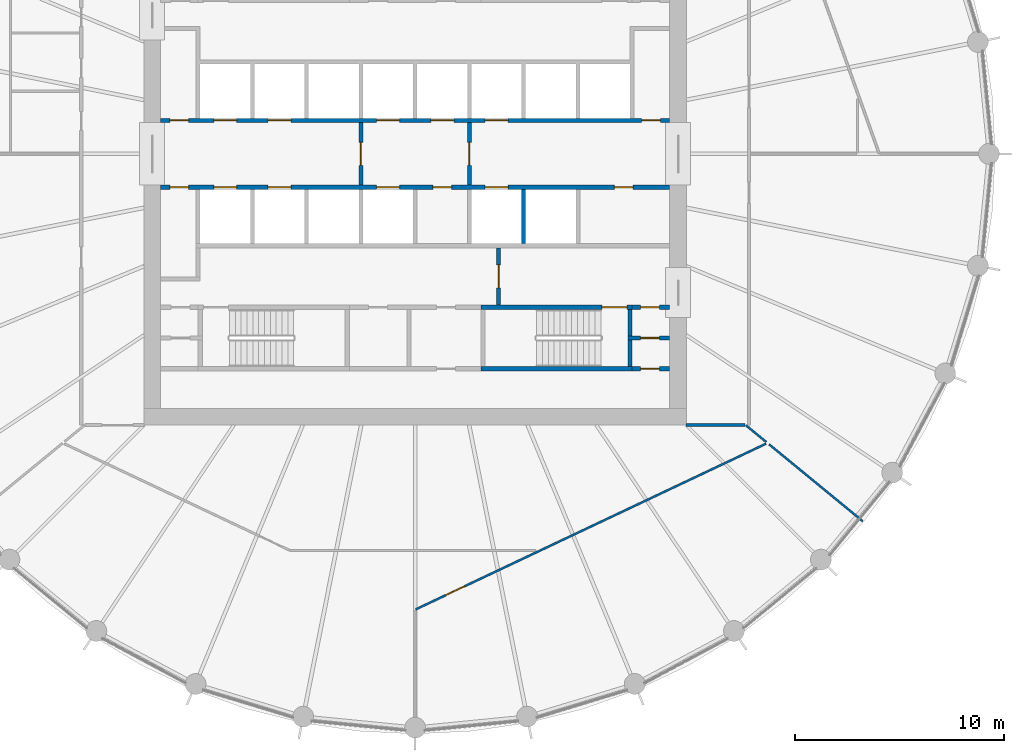
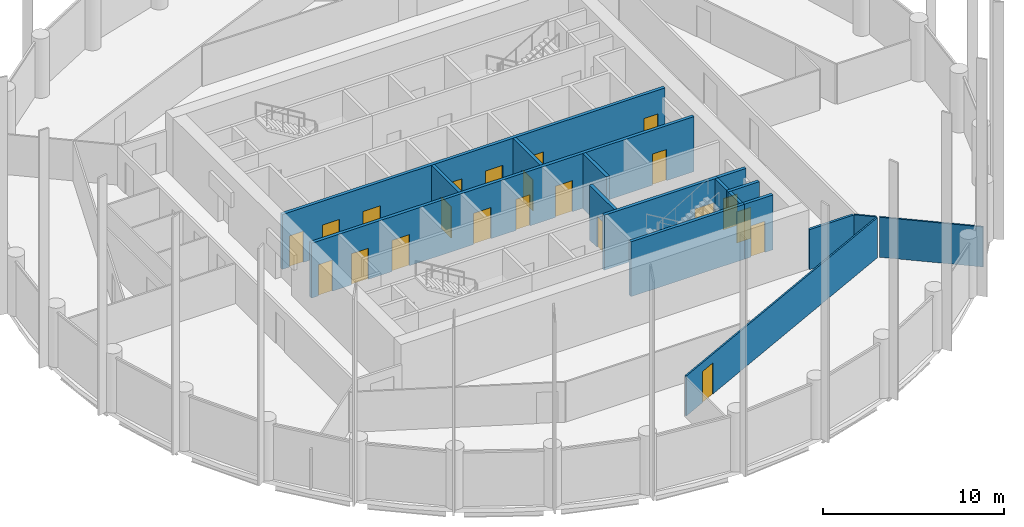
# One storey, part 5 of 8: 22 doors, 17 walls, 22 openings.
"""IFC4 building model written with IfcOpenShell, lengths in metres."""

from ifc_helpers import new_model, si_unit, direction, frame, frame_2d, origin, place, context, subcontext, project, spatial, polyline, rectangle, outline, extrude, material, layer, layer_set, type_object, element, fill, save


model = new_model("IFC4")

# Units and contexts
model_context = context("Model", 3, precision=1e-05, world=origin(), true_north=direction((0.0, 1.0)))
body_context = subcontext(model_context, "Body", "Model", "MODEL_VIEW")
ifc_project = project(units=[si_unit("LENGTHUNIT", "METRE"), si_unit("AREAUNIT", "SQUARE_METRE"), si_unit("VOLUMEUNIT", "CUBIC_METRE"), si_unit("PLANEANGLEUNIT", "RADIAN"), si_unit("MASSUNIT", "GRAM", prefix="KILO")], contexts=[model_context])

# Site, building, storey
site_placement = place(None, origin())
site = spatial("IfcSite", under=ifc_project, at=site_placement, CompositionType="ELEMENT")
building_placement = place(site_placement, origin())
building = spatial("IfcBuilding", under=site, at=building_placement, Name="Corvane Civic Tower", CompositionType="ELEMENT")
storey_placement = place(building_placement, frame((0.0, 0.0, 233.5)))
storey = spatial("IfcBuildingStorey", under=building, at=storey_placement, Name="L55", CompositionType="ELEMENT", Elevation=233.5)

# Wall, opening, door
ifc_material_1 = material(Name="Concrete C30/37", Category="concrete")
ifc_layer_1 = layer(ifc_material_1, 0.199951171875)
ifc_layer_set_1 = layer_set([ifc_layer_1], Name="Concrete C30/37")
wall_type_1 = type_object("IfcWallType", Name="CR-WALL-200", PredefinedType="PARTITIONING", material=ifc_layer_set_1)
wall_1_placement = place(storey_placement, frame((10.39990234375, -10.300048828125, 0.0), z_axis=(0.0, 0.0, 1.0), x_axis=(1.0, 0.0, 0.0)))
wall_1 = element("IfcWall", 1, at=wall_1_placement, inside=storey, type_object=wall_type_1, Name="L55 partition wall", PredefinedType="PARTITIONING", context=body_context, shape_type="SweptSolid", body=[
    extrude(rectangle(XDim=1.800048828125, YDim=0.199951171875, at=frame_2d((0.89990234375, 0.0))), origin(), (0.0, 0.0, 1.0), 3.699951171875),
])
opening_1_placement = place(wall_1_placement, frame((0.39990234375, 0.0, 0.0)))
opening_1 = element("IfcOpeningElement", 2, at=opening_1_placement, cuts=wall_1, Name="Opening L55.C21", PredefinedType="OPENING", context=body_context, shape_type="SweptSolid", body=[
    extrude(rectangle(XDim=0.89990234375, YDim=2.10009765625, at=frame_2d((0.449951171875, 1.050048828125))), frame((0.0, 0.10986328125, 0.0), z_axis=(0.0, -1.0, 0.0), x_axis=(1.0, 0.0, 0.0)), (0.0, 0.0, 1.0), 0.219970703125),
])
ifc_material_2 = material(Name="Steel fire door leaf", Category="steel")
door_type_1 = type_object("IfcDoorType", Name="CR-DOOR-900", OperationType="SINGLE_SWING_LEFT", PredefinedType="DOOR", material=ifc_material_2)
door_1_placement = place(opening_1_placement, origin())
door_1 = element("IfcDoor", 3, at=door_1_placement, inside=storey, type_object=door_type_1, Name="L55 door", OperationType="SINGLE_SWING_LEFT", OverallHeight=2.10009765625, OverallWidth=0.89990234375, PredefinedType="DOOR", context=body_context, shape_type="SweptSolid", body=[
    extrude(rectangle(XDim=0.89990234375, YDim=2.10009765625, at=frame_2d((0.449951171875, 1.050048828125))), frame((0.0, 0.02490234375, 0.0), z_axis=(0.0, -1.0, 0.0), x_axis=(1.0, 0.0, 0.0)), (0.0, 0.0, 1.0), 0.050048828125),
])
fill(opening_1, door_1)

wall_2_placement = place(storey_placement, frame((10.199951171875, -8.824951171875, 0.0), z_axis=(0.0, 0.0, 1.0), x_axis=(1.0, 0.0, 0.0)))
wall_2 = element("IfcWall", 4, at=wall_2_placement, inside=storey, type_object=wall_type_1, Name="L55 partition wall", PredefinedType="PARTITIONING", context=body_context, shape_type="SweptSolid", body=[
    extrude(rectangle(XDim=2.0, YDim=0.199951171875, at=frame_2d((1.0, 0.0))), origin(), (0.0, 0.0, 1.0), 3.699951171875),
])
opening_2_placement = place(wall_2_placement, frame((0.60009765625, 0.0, 0.0)))
opening_2 = element("IfcOpeningElement", 5, at=opening_2_placement, cuts=wall_2, Name="Opening L55.C20", PredefinedType="OPENING", context=body_context, shape_type="SweptSolid", body=[
    extrude(rectangle(XDim=0.89990234375, YDim=2.10009765625, at=frame_2d((0.449951171875, 1.050048828125))), frame((0.0, 0.10986328125, 0.0), z_axis=(0.0, -1.0, 0.0), x_axis=(1.0, 0.0, 0.0)), (0.0, 0.0, 1.0), 0.219970703125),
])
door_2_placement = place(opening_2_placement, origin())
door_2 = element("IfcDoor", 6, at=door_2_placement, inside=storey, type_object=door_type_1, Name="L55 door", OperationType="SINGLE_SWING_LEFT", OverallHeight=2.10009765625, OverallWidth=0.89990234375, PredefinedType="DOOR", context=body_context, shape_type="SweptSolid", body=[
    extrude(rectangle(XDim=0.89990234375, YDim=2.10009765625, at=frame_2d((0.449951171875, 1.050048828125))), frame((0.0, 0.02490234375, 0.0), z_axis=(0.0, -1.0, 0.0), x_axis=(1.0, 0.0, 0.0)), (0.0, 0.0, 1.0), 0.050048828125),
])
fill(opening_2, door_2)

wall_3_placement = place(storey_placement, frame((10.39990234375, -7.35009765625, 0.0), z_axis=(0.0, 0.0, 1.0), x_axis=(1.0, 0.0, 0.0)))
wall_3 = element("IfcWall", 7, at=wall_3_placement, inside=storey, type_object=wall_type_1, Name="L55 core partition wall", PredefinedType="PARTITIONING", context=body_context, shape_type="SweptSolid", body=[
    extrude(rectangle(XDim=1.800048828125, YDim=0.199951171875, at=frame_2d((0.89990234375, 0.0))), origin(), (0.0, 0.0, 1.0), 3.699951171875),
])
opening_3_placement = place(wall_3_placement, frame((0.39990234375, 0.0, 0.0)))
opening_3 = element("IfcOpeningElement", 8, at=opening_3_placement, cuts=wall_3, Name="Opening L55.C19", PredefinedType="OPENING", context=body_context, shape_type="SweptSolid", body=[
    extrude(rectangle(XDim=0.89990234375, YDim=2.10009765625, at=frame_2d((0.449951171875, 1.050048828125))), frame((0.0, 0.10986328125, 0.0), z_axis=(0.0, -1.0, 0.0), x_axis=(1.0, 0.0, 0.0)), (0.0, 0.0, 1.0), 0.219970703125),
])
door_3_placement = place(opening_3_placement, origin())
door_3 = element("IfcDoor", 9, at=door_3_placement, inside=storey, type_object=door_type_1, Name="L55 door", OperationType="SINGLE_SWING_LEFT", OverallHeight=2.10009765625, OverallWidth=0.89990234375, PredefinedType="DOOR", context=body_context, shape_type="SweptSolid", body=[
    extrude(rectangle(XDim=0.89990234375, YDim=2.10009765625, at=frame_2d((0.449951171875, 1.050048828125))), frame((0.0, 0.02490234375, 0.0), z_axis=(0.0, -1.0, 0.0), x_axis=(1.0, 0.0, 0.0)), (0.0, 0.0, 1.0), 0.050048828125),
])
fill(opening_3, door_3)

# Wall, openings, doors
wall_4_placement = place(storey_placement, frame((-12.199951171875, -1.60009765625, 0.0), z_axis=(0.0, 0.0, 1.0), x_axis=(1.0, 0.0, 0.0)))
wall_4 = element("IfcWall", 10, at=wall_4_placement, inside=storey, type_object=wall_type_1, Name="L55 lift shaft wall", PredefinedType="PARTITIONING", context=body_context, shape_type="SweptSolid", body=[
    extrude(rectangle(XDim=24.39990234375, YDim=0.199951171875, at=frame_2d((12.199951171875, 0.0))), origin(), (0.0, 0.0, 1.0), 3.699951171875),
])
opening_4_placement = place(wall_4_placement, frame((2.550048828125, 0.0, 0.0)))
opening_4 = element("IfcOpeningElement", 11, at=opening_4_placement, cuts=wall_4, Name="Opening LD", PredefinedType="OPENING", context=body_context, shape_type="SweptSolid", body=[
    extrude(rectangle(XDim=1.10009765625, YDim=2.10009765625, at=frame_2d((0.550048828125, 1.050048828125))), frame((0.0, 0.10986328125, 0.0), z_axis=(0.0, -1.0, 0.0), x_axis=(1.0, 0.0, 0.0)), (0.0, 0.0, 1.0), 0.219970703125),
])
opening_5_placement = place(wall_4_placement, frame((5.14990234375, 0.0, 0.0)))
opening_5 = element("IfcOpeningElement", 12, at=opening_5_placement, cuts=wall_4, Name="Opening LD", PredefinedType="OPENING", context=body_context, shape_type="SweptSolid", body=[
    extrude(rectangle(XDim=1.10009765625, YDim=2.10009765625, at=frame_2d((0.550048828125, 1.050048828125))), frame((0.0, 0.10986328125, 0.0), z_axis=(0.0, -1.0, 0.0), x_axis=(1.0, 0.0, 0.0)), (0.0, 0.0, 1.0), 0.219970703125),
])
opening_6_placement = place(wall_4_placement, frame((10.35009765625, 0.0, 0.0)))
opening_6 = element("IfcOpeningElement", 13, at=opening_6_placement, cuts=wall_4, Name="Opening LD", PredefinedType="OPENING", context=body_context, shape_type="SweptSolid", body=[
    extrude(rectangle(XDim=1.10009765625, YDim=2.10009765625, at=frame_2d((0.550048828125, 1.050048828125))), frame((0.0, 0.10986328125, 0.0), z_axis=(0.0, -1.0, 0.0), x_axis=(1.0, 0.0, 0.0)), (0.0, 0.0, 1.0), 0.219970703125),
])
opening_7_placement = place(wall_4_placement, frame((13.050048828125, 0.0, 0.0)))
opening_7 = element("IfcOpeningElement", 14, at=opening_7_placement, cuts=wall_4, Name="Opening L55.C03", PredefinedType="OPENING", context=body_context, shape_type="SweptSolid", body=[
    extrude(rectangle(XDim=0.89990234375, YDim=2.10009765625, at=frame_2d((0.449951171875, 1.050048828125))), frame((0.0, 0.10986328125, 0.0), z_axis=(0.0, -1.0, 0.0), x_axis=(1.0, 0.0, 0.0)), (0.0, 0.0, 1.0), 0.219970703125),
])
opening_8_placement = place(wall_4_placement, frame((15.550048828125, 0.0, 0.0)))
opening_8 = element("IfcOpeningElement", 15, at=opening_8_placement, cuts=wall_4, Name="Opening LD", PredefinedType="OPENING", context=body_context, shape_type="SweptSolid", body=[
    extrude(rectangle(XDim=1.10009765625, YDim=2.10009765625, at=frame_2d((0.550048828125, 1.050048828125))), frame((0.0, 0.10986328125, 0.0), z_axis=(0.0, -1.0, 0.0), x_axis=(1.0, 0.0, 0.0)), (0.0, 0.0, 1.0), 0.219970703125),
])
opening_9_placement = place(wall_4_placement, frame((0.449951171875, 0.0, 0.0)))
opening_9 = element("IfcOpeningElement", 16, at=opening_9_placement, cuts=wall_4, Name="Opening L55.C04", PredefinedType="OPENING", context=body_context, shape_type="SweptSolid", body=[
    extrude(rectangle(XDim=0.89990234375, YDim=2.10009765625, at=frame_2d((0.449951171875, 1.050048828125))), frame((0.0, 0.10986328125, 0.0), z_axis=(0.0, -1.0, 0.0), x_axis=(1.0, 0.0, 0.0)), (0.0, 0.0, 1.0), 0.219970703125),
])
opening_10_placement = place(wall_4_placement, frame((21.75, 0.0, 0.0)))
opening_10 = element("IfcOpeningElement", 17, at=opening_10_placement, cuts=wall_4, Name="Opening L55.C05", PredefinedType="OPENING", context=body_context, shape_type="SweptSolid", body=[
    extrude(rectangle(XDim=0.89990234375, YDim=2.10009765625, at=frame_2d((0.449951171875, 1.050048828125))), frame((0.0, 0.10986328125, 0.0), z_axis=(0.0, -1.0, 0.0), x_axis=(1.0, 0.0, 0.0)), (0.0, 0.0, 1.0), 0.219970703125),
])
door_4_placement = place(opening_7_placement, origin())
door_4 = element("IfcDoor", 18, at=door_4_placement, inside=storey, type_object=door_type_1, Name="L55 door", OperationType="SINGLE_SWING_LEFT", OverallHeight=2.10009765625, OverallWidth=0.89990234375, PredefinedType="DOOR", context=body_context, shape_type="SweptSolid", body=[
    extrude(rectangle(XDim=0.89990234375, YDim=2.10009765625, at=frame_2d((0.449951171875, 1.050048828125))), frame((0.0, 0.02490234375, 0.0), z_axis=(0.0, -1.0, 0.0), x_axis=(1.0, 0.0, 0.0)), (0.0, 0.0, 1.0), 0.050048828125),
])
fill(opening_7, door_4)
door_5_placement = place(opening_9_placement, origin())
door_5 = element("IfcDoor", 19, at=door_5_placement, inside=storey, type_object=door_type_1, Name="L55 door", OperationType="SINGLE_SWING_LEFT", OverallHeight=2.10009765625, OverallWidth=0.89990234375, PredefinedType="DOOR", context=body_context, shape_type="SweptSolid", body=[
    extrude(rectangle(XDim=0.89990234375, YDim=2.10009765625, at=frame_2d((0.449951171875, 1.050048828125))), frame((0.0, 0.02490234375, 0.0), z_axis=(0.0, -1.0, 0.0), x_axis=(1.0, 0.0, 0.0)), (0.0, 0.0, 1.0), 0.050048828125),
])
fill(opening_9, door_5)
door_6_placement = place(opening_10_placement, origin())
door_6 = element("IfcDoor", 20, at=door_6_placement, inside=storey, type_object=door_type_1, Name="L55 door", OperationType="SINGLE_SWING_LEFT", OverallHeight=2.10009765625, OverallWidth=0.89990234375, PredefinedType="DOOR", context=body_context, shape_type="SweptSolid", body=[
    extrude(rectangle(XDim=0.89990234375, YDim=2.10009765625, at=frame_2d((0.449951171875, 1.050048828125))), frame((0.0, 0.02490234375, 0.0), z_axis=(0.0, -1.0, 0.0), x_axis=(1.0, 0.0, 0.0)), (0.0, 0.0, 1.0), 0.050048828125),
])
fill(opening_10, door_6)
ifc_material_3 = material(Name="Stainless steel 316 door leaves", Category="steel")
door_type_2 = type_object("IfcDoorType", Name="LD", OperationType="DOUBLE_DOOR_SLIDING", PredefinedType="DOOR", material=ifc_material_3)
door_7_placement = place(opening_4_placement, origin())
door_7 = element("IfcDoor", 21, at=door_7_placement, inside=storey, type_object=door_type_2, Name="L55 landing door", OperationType="DOUBLE_DOOR_SLIDING", OverallHeight=2.10009765625, OverallWidth=1.10009765625, PredefinedType="DOOR", context=body_context, shape_type="SweptSolid", body=[
    extrude(rectangle(XDim=1.10009765625, YDim=2.10009765625, at=frame_2d((0.550048828125, 1.050048828125))), frame((0.0, 0.02490234375, 0.0), z_axis=(0.0, -1.0, 0.0), x_axis=(1.0, 0.0, 0.0)), (0.0, 0.0, 1.0), 0.050048828125),
])
fill(opening_4, door_7)
door_8_placement = place(opening_5_placement, origin())
door_8 = element("IfcDoor", 22, at=door_8_placement, inside=storey, type_object=door_type_2, Name="L55 landing door", OperationType="DOUBLE_DOOR_SLIDING", OverallHeight=2.10009765625, OverallWidth=1.10009765625, PredefinedType="DOOR", context=body_context, shape_type="SweptSolid", body=[
    extrude(rectangle(XDim=1.10009765625, YDim=2.10009765625, at=frame_2d((0.550048828125, 1.050048828125))), frame((0.0, 0.02490234375, 0.0), z_axis=(0.0, -1.0, 0.0), x_axis=(1.0, 0.0, 0.0)), (0.0, 0.0, 1.0), 0.050048828125),
])
fill(opening_5, door_8)
door_9_placement = place(opening_6_placement, origin())
door_9 = element("IfcDoor", 23, at=door_9_placement, inside=storey, type_object=door_type_2, Name="L55 landing door", OperationType="DOUBLE_DOOR_SLIDING", OverallHeight=2.10009765625, OverallWidth=1.10009765625, PredefinedType="DOOR", context=body_context, shape_type="SweptSolid", body=[
    extrude(rectangle(XDim=1.10009765625, YDim=2.10009765625, at=frame_2d((0.550048828125, 1.050048828125))), frame((0.0, 0.02490234375, 0.0), z_axis=(0.0, -1.0, 0.0), x_axis=(1.0, 0.0, 0.0)), (0.0, 0.0, 1.0), 0.050048828125),
])
fill(opening_6, door_9)
door_10_placement = place(opening_8_placement, origin())
door_10 = element("IfcDoor", 24, at=door_10_placement, inside=storey, type_object=door_type_2, Name="L55 landing door", OperationType="DOUBLE_DOOR_SLIDING", OverallHeight=2.10009765625, OverallWidth=1.10009765625, PredefinedType="DOOR", context=body_context, shape_type="SweptSolid", body=[
    extrude(rectangle(XDim=1.10009765625, YDim=2.10009765625, at=frame_2d((0.550048828125, 1.050048828125))), frame((0.0, 0.02490234375, 0.0), z_axis=(0.0, -1.0, 0.0), x_axis=(1.0, 0.0, 0.0)), (0.0, 0.0, 1.0), 0.050048828125),
])
fill(opening_8, door_10)

wall_5_placement = place(storey_placement, frame((-12.199951171875, 1.60009765625, 0.0), z_axis=(0.0, 0.0, 1.0), x_axis=(1.0, 0.0, 0.0)))
wall_5 = element("IfcWall", 25, at=wall_5_placement, inside=storey, type_object=wall_type_1, Name="L55 lift shaft wall", PredefinedType="PARTITIONING", context=body_context, shape_type="SweptSolid", body=[
    extrude(rectangle(XDim=24.39990234375, YDim=0.199951171875, at=frame_2d((12.199951171875, 0.0))), origin(), (0.0, 0.0, 1.0), 3.699951171875),
])
opening_11_placement = place(wall_5_placement, frame((2.550048828125, 0.0, 0.0)))
opening_11 = element("IfcOpeningElement", 26, at=opening_11_placement, cuts=wall_5, Name="Opening LD", PredefinedType="OPENING", context=body_context, shape_type="SweptSolid", body=[
    extrude(rectangle(XDim=1.10009765625, YDim=2.10009765625, at=frame_2d((0.550048828125, 1.050048828125))), frame((0.0, 0.10986328125, 0.0), z_axis=(0.0, -1.0, 0.0), x_axis=(1.0, 0.0, 0.0)), (0.0, 0.0, 1.0), 0.219970703125),
])
opening_12_placement = place(wall_5_placement, frame((5.14990234375, 0.0, 0.0)))
opening_12 = element("IfcOpeningElement", 27, at=opening_12_placement, cuts=wall_5, Name="Opening LD", PredefinedType="OPENING", context=body_context, shape_type="SweptSolid", body=[
    extrude(rectangle(XDim=1.10009765625, YDim=2.10009765625, at=frame_2d((0.550048828125, 1.050048828125))), frame((0.0, 0.10986328125, 0.0), z_axis=(0.0, -1.0, 0.0), x_axis=(1.0, 0.0, 0.0)), (0.0, 0.0, 1.0), 0.219970703125),
])
opening_13_placement = place(wall_5_placement, frame((10.35009765625, 0.0, 0.0)))
opening_13 = element("IfcOpeningElement", 28, at=opening_13_placement, cuts=wall_5, Name="Opening LD", PredefinedType="OPENING", context=body_context, shape_type="SweptSolid", body=[
    extrude(rectangle(XDim=1.10009765625, YDim=2.10009765625, at=frame_2d((0.550048828125, 1.050048828125))), frame((0.0, 0.10986328125, 0.0), z_axis=(0.0, -1.0, 0.0), x_axis=(1.0, 0.0, 0.0)), (0.0, 0.0, 1.0), 0.219970703125),
])
opening_14_placement = place(wall_5_placement, frame((12.949951171875, 0.0, 0.0)))
opening_14 = element("IfcOpeningElement", 29, at=opening_14_placement, cuts=wall_5, Name="Opening LD", PredefinedType="OPENING", context=body_context, shape_type="SweptSolid", body=[
    extrude(rectangle(XDim=1.10009765625, YDim=2.10009765625, at=frame_2d((0.550048828125, 1.050048828125))), frame((0.0, 0.10986328125, 0.0), z_axis=(0.0, -1.0, 0.0), x_axis=(1.0, 0.0, 0.0)), (0.0, 0.0, 1.0), 0.219970703125),
])
opening_15_placement = place(wall_5_placement, frame((15.550048828125, 0.0, 0.0)))
opening_15 = element("IfcOpeningElement", 30, at=opening_15_placement, cuts=wall_5, Name="Opening LD", PredefinedType="OPENING", context=body_context, shape_type="SweptSolid", body=[
    extrude(rectangle(XDim=1.10009765625, YDim=2.10009765625, at=frame_2d((0.550048828125, 1.050048828125))), frame((0.0, 0.10986328125, 0.0), z_axis=(0.0, -1.0, 0.0), x_axis=(1.0, 0.0, 0.0)), (0.0, 0.0, 1.0), 0.219970703125),
])
opening_16_placement = place(wall_5_placement, frame((0.449951171875, 0.0, 0.0)))
opening_16 = element("IfcOpeningElement", 31, at=opening_16_placement, cuts=wall_5, Name="Opening L55.C01", PredefinedType="OPENING", context=body_context, shape_type="SweptSolid", body=[
    extrude(rectangle(XDim=0.89990234375, YDim=2.10009765625, at=frame_2d((0.449951171875, 1.050048828125))), frame((0.0, 0.10986328125, 0.0), z_axis=(0.0, -1.0, 0.0), x_axis=(1.0, 0.0, 0.0)), (0.0, 0.0, 1.0), 0.219970703125),
])
opening_17_placement = place(wall_5_placement, frame((23.050048828125, 0.0, 0.0)))
opening_17 = element("IfcOpeningElement", 32, at=opening_17_placement, cuts=wall_5, Name="Opening L55.C02", PredefinedType="OPENING", context=body_context, shape_type="SweptSolid", body=[
    extrude(rectangle(XDim=0.89990234375, YDim=2.10009765625, at=frame_2d((0.449951171875, 1.050048828125))), frame((0.0, 0.10986328125, 0.0), z_axis=(0.0, -1.0, 0.0), x_axis=(1.0, 0.0, 0.0)), (0.0, 0.0, 1.0), 0.219970703125),
])
door_11_placement = place(opening_16_placement, origin())
door_11 = element("IfcDoor", 33, at=door_11_placement, inside=storey, type_object=door_type_1, Name="L55 door", OperationType="SINGLE_SWING_LEFT", OverallHeight=2.10009765625, OverallWidth=0.89990234375, PredefinedType="DOOR", context=body_context, shape_type="SweptSolid", body=[
    extrude(rectangle(XDim=0.89990234375, YDim=2.10009765625, at=frame_2d((0.449951171875, 1.050048828125))), frame((0.0, 0.02490234375, 0.0), z_axis=(0.0, -1.0, 0.0), x_axis=(1.0, 0.0, 0.0)), (0.0, 0.0, 1.0), 0.050048828125),
])
fill(opening_16, door_11)
door_12_placement = place(opening_17_placement, origin())
door_12 = element("IfcDoor", 34, at=door_12_placement, inside=storey, type_object=door_type_1, Name="L55 door", OperationType="SINGLE_SWING_LEFT", OverallHeight=2.10009765625, OverallWidth=0.89990234375, PredefinedType="DOOR", context=body_context, shape_type="SweptSolid", body=[
    extrude(rectangle(XDim=0.89990234375, YDim=2.10009765625, at=frame_2d((0.449951171875, 1.050048828125))), frame((0.0, 0.02490234375, 0.0), z_axis=(0.0, -1.0, 0.0), x_axis=(1.0, 0.0, 0.0)), (0.0, 0.0, 1.0), 0.050048828125),
])
fill(opening_17, door_12)
door_13_placement = place(opening_11_placement, origin())
door_13 = element("IfcDoor", 35, at=door_13_placement, inside=storey, type_object=door_type_2, Name="L55 landing door", OperationType="DOUBLE_DOOR_SLIDING", OverallHeight=2.10009765625, OverallWidth=1.10009765625, PredefinedType="DOOR", context=body_context, shape_type="SweptSolid", body=[
    extrude(rectangle(XDim=1.10009765625, YDim=2.10009765625, at=frame_2d((0.550048828125, 1.050048828125))), frame((0.0, 0.02490234375, 0.0), z_axis=(0.0, -1.0, 0.0), x_axis=(1.0, 0.0, 0.0)), (0.0, 0.0, 1.0), 0.050048828125),
])
fill(opening_11, door_13)
door_14_placement = place(opening_12_placement, origin())
door_14 = element("IfcDoor", 36, at=door_14_placement, inside=storey, type_object=door_type_2, Name="L55 landing door", OperationType="DOUBLE_DOOR_SLIDING", OverallHeight=2.10009765625, OverallWidth=1.10009765625, PredefinedType="DOOR", context=body_context, shape_type="SweptSolid", body=[
    extrude(rectangle(XDim=1.10009765625, YDim=2.10009765625, at=frame_2d((0.550048828125, 1.050048828125))), frame((0.0, 0.02490234375, 0.0), z_axis=(0.0, -1.0, 0.0), x_axis=(1.0, 0.0, 0.0)), (0.0, 0.0, 1.0), 0.050048828125),
])
fill(opening_12, door_14)
door_15_placement = place(opening_13_placement, origin())
door_15 = element("IfcDoor", 37, at=door_15_placement, inside=storey, type_object=door_type_2, Name="L55 landing door", OperationType="DOUBLE_DOOR_SLIDING", OverallHeight=2.10009765625, OverallWidth=1.10009765625, PredefinedType="DOOR", context=body_context, shape_type="SweptSolid", body=[
    extrude(rectangle(XDim=1.10009765625, YDim=2.10009765625, at=frame_2d((0.550048828125, 1.050048828125))), frame((0.0, 0.02490234375, 0.0), z_axis=(0.0, -1.0, 0.0), x_axis=(1.0, 0.0, 0.0)), (0.0, 0.0, 1.0), 0.050048828125),
])
fill(opening_13, door_15)
door_16_placement = place(opening_14_placement, origin())
door_16 = element("IfcDoor", 38, at=door_16_placement, inside=storey, type_object=door_type_2, Name="L55 landing door", OperationType="DOUBLE_DOOR_SLIDING", OverallHeight=2.10009765625, OverallWidth=1.10009765625, PredefinedType="DOOR", context=body_context, shape_type="SweptSolid", body=[
    extrude(rectangle(XDim=1.10009765625, YDim=2.10009765625, at=frame_2d((0.550048828125, 1.050048828125))), frame((0.0, 0.02490234375, 0.0), z_axis=(0.0, -1.0, 0.0), x_axis=(1.0, 0.0, 0.0)), (0.0, 0.0, 1.0), 0.050048828125),
])
fill(opening_14, door_16)
door_17_placement = place(opening_15_placement, origin())
door_17 = element("IfcDoor", 39, at=door_17_placement, inside=storey, type_object=door_type_2, Name="L55 landing door", OperationType="DOUBLE_DOOR_SLIDING", OverallHeight=2.10009765625, OverallWidth=1.10009765625, PredefinedType="DOOR", context=body_context, shape_type="SweptSolid", body=[
    extrude(rectangle(XDim=1.10009765625, YDim=2.10009765625, at=frame_2d((0.550048828125, 1.050048828125))), frame((0.0, 0.02490234375, 0.0), z_axis=(0.0, -1.0, 0.0), x_axis=(1.0, 0.0, 0.0)), (0.0, 0.0, 1.0), 0.050048828125),
])
fill(opening_15, door_17)

# Wall, opening, door
wall_6_placement = place(storey_placement, frame((-2.60009765625, -1.5, 0.0), z_axis=(0.0, 0.0, 1.0), x_axis=(0.0, 1.0, 0.0)))
wall_6 = element("IfcWall", 40, at=wall_6_placement, inside=storey, type_object=wall_type_1, Name="L55 firefighting lobby wall", PredefinedType="PARTITIONING", context=body_context, shape_type="SweptSolid", body=[
    extrude(rectangle(XDim=3.0, YDim=0.199951171875, at=frame_2d((1.5, 0.0))), origin(), (0.0, 0.0, 1.0), 3.699951171875),
])
opening_18_placement = place(wall_6_placement, frame((0.949951171875, 0.0, 0.0)))
opening_18 = element("IfcOpeningElement", 41, at=opening_18_placement, cuts=wall_6, Name="Opening L55.C26", PredefinedType="OPENING", context=body_context, shape_type="SweptSolid", body=[
    extrude(rectangle(XDim=1.10009765625, YDim=2.10009765625, at=frame_2d((0.550048828125, 1.050048828125))), frame((0.0, 0.10986328125, 0.0), z_axis=(0.0, -1.0, 0.0), x_axis=(1.0, 0.0, 0.0)), (0.0, 0.0, 1.0), 0.219970703125),
])
ifc_material_4 = material(Name="Steel fire door leaf", Category="steel")
door_type_3 = type_object("IfcDoorType", Name="CR-DOOR-FFL-1100", OperationType="SINGLE_SWING_LEFT", PredefinedType="DOOR", material=ifc_material_4)
door_18_placement = place(opening_18_placement, origin())
door_18 = element("IfcDoor", 42, at=door_18_placement, inside=storey, type_object=door_type_3, Name="L55 lobby door", OperationType="SINGLE_SWING_LEFT", OverallHeight=2.10009765625, OverallWidth=1.10009765625, PredefinedType="DOOR", context=body_context, shape_type="SweptSolid", body=[
    extrude(rectangle(XDim=1.10009765625, YDim=2.10009765625, at=frame_2d((0.550048828125, 1.050048828125))), frame((0.0, 0.02490234375, 0.0), z_axis=(0.0, -1.0, 0.0), x_axis=(1.0, 0.0, 0.0)), (0.0, 0.0, 1.0), 0.050048828125),
])
fill(opening_18, door_18)

wall_7_placement = place(storey_placement, frame((2.60009765625, -1.5, 0.0), z_axis=(0.0, 0.0, 1.0), x_axis=(0.0, 1.0, 0.0)))
wall_7 = element("IfcWall", 43, at=wall_7_placement, inside=storey, type_object=wall_type_1, Name="L55 firefighting lobby wall", PredefinedType="PARTITIONING", context=body_context, shape_type="SweptSolid", body=[
    extrude(rectangle(XDim=3.0, YDim=0.199951171875, at=frame_2d((1.5, 0.0))), origin(), (0.0, 0.0, 1.0), 3.699951171875),
])
opening_19_placement = place(wall_7_placement, frame((0.949951171875, 0.0, 0.0)))
opening_19 = element("IfcOpeningElement", 44, at=opening_19_placement, cuts=wall_7, Name="Opening L55.C27", PredefinedType="OPENING", context=body_context, shape_type="SweptSolid", body=[
    extrude(rectangle(XDim=1.10009765625, YDim=2.10009765625, at=frame_2d((0.550048828125, 1.050048828125))), frame((0.0, 0.10986328125, 0.0), z_axis=(0.0, -1.0, 0.0), x_axis=(1.0, 0.0, 0.0)), (0.0, 0.0, 1.0), 0.219970703125),
])
door_19_placement = place(opening_19_placement, origin())
door_19 = element("IfcDoor", 45, at=door_19_placement, inside=storey, type_object=door_type_3, Name="L55 lobby door", OperationType="SINGLE_SWING_LEFT", OverallHeight=2.10009765625, OverallWidth=1.10009765625, PredefinedType="DOOR", context=body_context, shape_type="SweptSolid", body=[
    extrude(rectangle(XDim=1.10009765625, YDim=2.10009765625, at=frame_2d((0.550048828125, 1.050048828125))), frame((0.0, 0.02490234375, 0.0), z_axis=(0.0, -1.0, 0.0), x_axis=(1.0, 0.0, 0.0)), (0.0, 0.0, 1.0), 0.050048828125),
])
fill(opening_19, door_19)

wall_8_placement = place(storey_placement, frame((4.0, -7.25, 0.0), z_axis=(0.0, 0.0, 1.0), x_axis=(0.0, 1.0, 0.0)))
wall_8 = element("IfcWall", 46, at=wall_8_placement, inside=storey, type_object=wall_type_1, Name="L55 core partition wall", PredefinedType="PARTITIONING", context=body_context, shape_type="SweptSolid", body=[
    extrude(rectangle(XDim=2.75, YDim=0.199951171875, at=frame_2d((1.375, 0.0))), origin(), (0.0, 0.0, 1.0), 3.699951171875),
])
opening_20_placement = place(wall_8_placement, frame((0.824951171875, 0.0, 0.0)))
opening_20 = element("IfcOpeningElement", 47, at=opening_20_placement, cuts=wall_8, Name="Opening L55.C28", PredefinedType="OPENING", context=body_context, shape_type="SweptSolid", body=[
    extrude(rectangle(XDim=1.10009765625, YDim=2.10009765625, at=frame_2d((0.550048828125, 1.050048828125))), frame((0.0, 0.10986328125, 0.0), z_axis=(0.0, -1.0, 0.0), x_axis=(1.0, 0.0, 0.0)), (0.0, 0.0, 1.0), 0.219970703125),
])
door_20_placement = place(opening_20_placement, origin())
door_20 = element("IfcDoor", 48, at=door_20_placement, inside=storey, type_object=door_type_3, Name="L55 lobby door", OperationType="SINGLE_SWING_LEFT", OverallHeight=2.10009765625, OverallWidth=1.10009765625, PredefinedType="DOOR", context=body_context, shape_type="SweptSolid", body=[
    extrude(rectangle(XDim=1.10009765625, YDim=2.10009765625, at=frame_2d((0.550048828125, 1.050048828125))), frame((0.0, 0.02490234375, 0.0), z_axis=(0.0, -1.0, 0.0), x_axis=(1.0, 0.0, 0.0)), (0.0, 0.0, 1.0), 0.050048828125),
])
fill(opening_20, door_20)

# Wall
wall_9_placement = place(storey_placement, origin())
element("IfcWall", 49, at=wall_9_placement, inside=storey, type_object=wall_type_1, Name="L55 core partition wall", PredefinedType="PARTITIONING", context=body_context, shape_type="SweptSolid", body=[
    extrude(outline(polyline([(5.300048828125, -1.699951171875), (5.300048828125, -4.2998046875), (5.10009765625, -4.2998046875), (5.10009765625, -1.699951171875), (5.300048828125, -1.699951171875)])), origin(), (0.0, 0.0, 1.0), 3.699951171875),
])

# Wall, opening, door
ifc_material_5 = material(Name="Plasterboard")
ifc_layer_2 = layer(ifc_material_5, 0.10009765625)
ifc_layer_set_2 = layer_set([ifc_layer_2], Name="Plasterboard")
wall_type_2 = type_object("IfcWallType", Name="Partition 100 plasterboard on studs", PredefinedType="PARTITIONING", material=ifc_layer_set_2)
wall_10_placement = place(storey_placement, frame((0.028564453125, -21.82958984375, 0.0), z_axis=(0.0, 0.0, 1.0), x_axis=(0.903990686967, 0.427552146383, 0.0)))
wall_10 = element("IfcWall", 50, at=wall_10_placement, inside=storey, type_object=wall_type_2, Name="Partition L55.002", PredefinedType="PARTITIONING", context=body_context, shape_type="SweptSolid", body=[
    extrude(rectangle(XDim=18.56787109375, YDim=0.10009765625, at=frame_2d((9.283935546875, 0.0))), origin(), (0.0, 0.0, 1.0), 2.699951171875),
])
opening_21_placement = place(wall_10_placement, frame((1.586181640625, 0.0, 0.0)))
opening_21 = element("IfcOpeningElement", 51, at=opening_21_placement, cuts=wall_10, Name="Opening L55.005", PredefinedType="OPENING", context=body_context, shape_type="SweptSolid", body=[
    extrude(rectangle(XDim=1.0, YDim=2.10009765625, at=frame_2d((0.5, 1.050048828125))), frame((0.0, 0.06005859375, 0.0), z_axis=(0.0, -1.0, 0.0), x_axis=(1.0, 0.0, 0.0)), (0.0, 0.0, 1.0), 0.1201171875),
])
ifc_material_6 = material(Name="Timber", Category="wood")
door_type_4 = type_object("IfcDoorType", Name="Single door 1000", OperationType="NOTDEFINED", PredefinedType="DOOR", material=ifc_material_6)
door_21_placement = place(opening_21_placement, frame((1.0, 0.0, 0.0), z_axis=(0.0, 0.0, 1.0), x_axis=(-1.0, 0.0, 0.0)))
door_21 = element("IfcDoor", 52, at=door_21_placement, inside=storey, type_object=door_type_4, Name="Door L55.005", OperationType="SINGLE_SWING_LEFT", OverallHeight=2.10009765625, OverallWidth=1.0, PredefinedType="DOOR", context=body_context, shape_type="SweptSolid", body=[
    extrude(rectangle(XDim=1.0, YDim=2.10009765625, at=frame_2d((0.5, 1.050048828125))), frame((0.0, 0.02490234375, 0.0), z_axis=(0.0, -1.0, 0.0), x_axis=(1.0, 0.0, 0.0)), (0.0, 0.0, 1.0), 0.050048828125),
])
fill(opening_21, door_21)

# Walls
wall_11_placement = place(storey_placement, frame((16.96435546875, -13.922119140625, 0.0), z_axis=(0.0, 0.0, 1.0), x_axis=(0.77299879553, -0.634407489008, 0.0)))
element("IfcWall", 53, at=wall_11_placement, inside=storey, type_object=wall_type_2, Name="Partition L55.006", PredefinedType="PARTITIONING", context=body_context, shape_type="SweptSolid", body=[
    extrude(rectangle(XDim=5.804443359375, YDim=0.10009765625, at=frame_2d((2.90234375, 0.0))), origin(), (0.0, 0.0, 1.0), 2.699951171875),
])
wall_12_placement = place(storey_placement, frame((15.8544921875, -13.01123046875, 0.0), z_axis=(0.0, 0.0, 1.0), x_axis=(0.773002384802, -0.634403115606, 0.0)))
element("IfcWall", 54, at=wall_12_placement, inside=storey, type_object=wall_type_2, Name="Partition L55.007", PredefinedType="PARTITIONING", context=body_context, shape_type="SweptSolid", body=[
    extrude(rectangle(XDim=1.254150390625, YDim=0.10009765625, at=frame_2d((0.626953125, 0.0))), origin(), (0.0, 0.0, 1.0), 2.699951171875),
])

# Wall, opening, door
ifc_material_7 = material(Name="Concrete C50/60", Category="concrete")
ifc_layer_3 = layer(ifc_material_7, 0.199951171875)
ifc_layer_set_3 = layer_set([ifc_layer_3], Name="Concrete C50/60")
wall_type_3 = type_object("IfcWallType", Name="ST-WALL-200", PredefinedType="SHEAR", material=ifc_layer_set_3)
wall_13_placement = place(storey_placement, frame((3.14990234375, -7.35009765625, 0.0), z_axis=(0.0, 0.0, 1.0), x_axis=(1.0, 0.0, 0.0)))
wall_13 = element("IfcWall", 55, at=wall_13_placement, inside=storey, type_object=wall_type_3, Name="L55 stair enclosure wall", PredefinedType="SHEAR", context=body_context, shape_type="SweptSolid", body=[
    extrude(rectangle(XDim=7.25, YDim=0.199951171875, at=frame_2d((3.625, 0.0))), origin(), (0.0, 0.0, 1.0), 3.699951171875),
])
opening_22_placement = place(wall_13_placement, frame((5.800048828125, 0.0, 0.0)))
opening_22 = element("IfcOpeningElement", 56, at=opening_22_placement, cuts=wall_13, Name="Opening L55.C24", PredefinedType="OPENING", context=body_context, shape_type="SweptSolid", body=[
    extrude(rectangle(XDim=1.199951171875, YDim=2.10009765625, at=frame_2d((0.60009765625, 1.050048828125))), frame((0.0, 0.10986328125, 0.0), z_axis=(0.0, -1.0, 0.0), x_axis=(1.0, 0.0, 0.0)), (0.0, 0.0, 1.0), 0.219970703125),
])
ifc_material_8 = material(Name="Steel fire door leaf", Category="steel")
door_type_5 = type_object("IfcDoorType", Name="ST-DOOR-1200", OperationType="SINGLE_SWING_RIGHT", PredefinedType="DOOR", material=ifc_material_8)
door_22_placement = place(opening_22_placement, origin())
door_22 = element("IfcDoor", 57, at=door_22_placement, inside=storey, type_object=door_type_5, Name="L55 stair door", OperationType="SINGLE_SWING_RIGHT", OverallHeight=2.10009765625, OverallWidth=1.199951171875, PredefinedType="DOOR", context=body_context, shape_type="SweptSolid", body=[
    extrude(rectangle(XDim=1.199951171875, YDim=2.10009765625, at=frame_2d((0.60009765625, 1.050048828125))), frame((0.0, 0.02490234375, 0.0), z_axis=(0.0, -1.0, 0.0), x_axis=(1.0, 0.0, 0.0)), (0.0, 0.0, 1.0), 0.050048828125),
])
fill(opening_22, door_22)

# Walls
wall_14_placement = place(storey_placement, origin())
element("IfcWall", 58, at=wall_14_placement, inside=storey, type_object=wall_type_3, Name="L55 stair enclosure wall", PredefinedType="SHEAR", context=body_context, shape_type="SweptSolid", body=[
    extrude(outline(polyline([(10.39990234375, -10.39990234375), (3.14990234375, -10.39990234375), (3.14990234375, -10.199951171875), (10.39990234375, -10.199951171875), (10.39990234375, -10.39990234375)])), origin(), (0.0, 0.0, 1.0), 3.699951171875),
])
wall_15_placement = place(storey_placement, origin())
element("IfcWall", 59, at=wall_15_placement, inside=storey, type_object=wall_type_3, Name="L55 stair enclosure wall", PredefinedType="SHEAR", context=body_context, shape_type="SweptSolid", body=[
    extrude(outline(polyline([(10.39990234375, -7.449951171875), (10.39990234375, -8.72509765625), (10.199951171875, -8.72509765625), (10.199951171875, -7.449951171875), (10.39990234375, -7.449951171875)])), origin(), (0.0, 0.0, 1.0), 3.699951171875),
])
wall_16_placement = place(storey_placement, origin())
element("IfcWall", 60, at=wall_16_placement, inside=storey, type_object=wall_type_3, Name="L55 stair enclosure wall", PredefinedType="SHEAR", context=body_context, shape_type="SweptSolid", body=[
    extrude(outline(polyline([(10.39990234375, -8.925048828125), (10.39990234375, -10.199951171875), (10.199951171875, -10.199951171875), (10.199951171875, -8.925048828125), (10.39990234375, -8.925048828125)])), origin(), (0.0, 0.0, 1.0), 3.699951171875),
])
ifc_material_9 = material(Name="Plasterboard")
ifc_layer_4 = layer(ifc_material_9, 0.14990234375)
ifc_layer_set_4 = layer_set([ifc_layer_4], Name="Plasterboard")
wall_type_4 = type_object("IfcWallType", Name="Tenancy wall 150 EI 60", PredefinedType="PARTITIONING", material=ifc_layer_set_4)
wall_17_placement = place(storey_placement, frame((12.989990234375, -13.0, 0.0), z_axis=(0.0, 0.0, 1.0), x_axis=(1.0, 0.0, 0.0)))
element("IfcWall", 61, at=wall_17_placement, inside=storey, type_object=wall_type_4, Name="Partition L55.011", PredefinedType="PARTITIONING", context=body_context, shape_type="SweptSolid", body=[
    extrude(rectangle(XDim=2.82373046875, YDim=0.14990234375, at=frame_2d((1.411865234375, 0.0))), origin(), (0.0, 0.0, 1.0), 2.699951171875),
])

save(model, "model.ifc")
